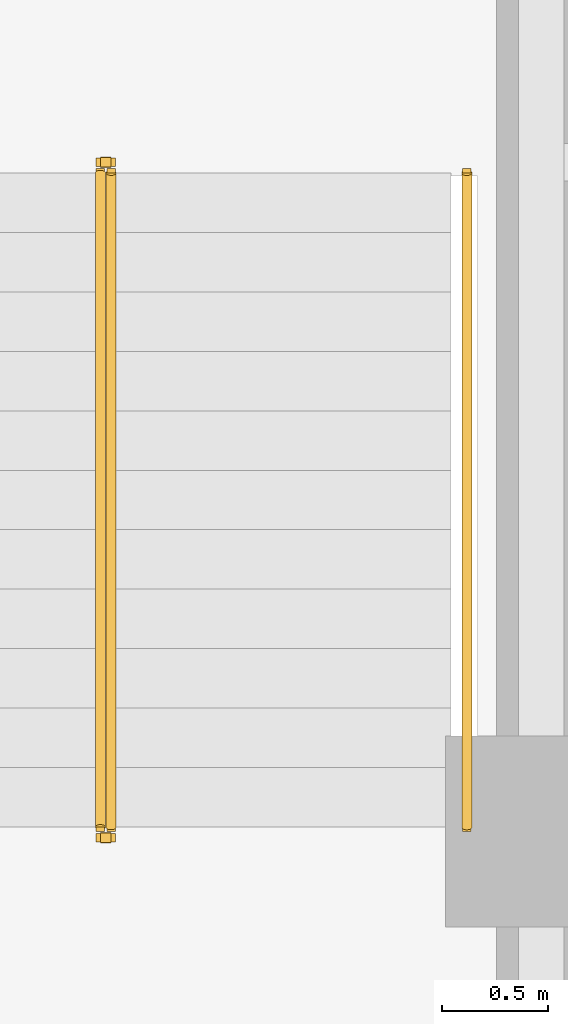
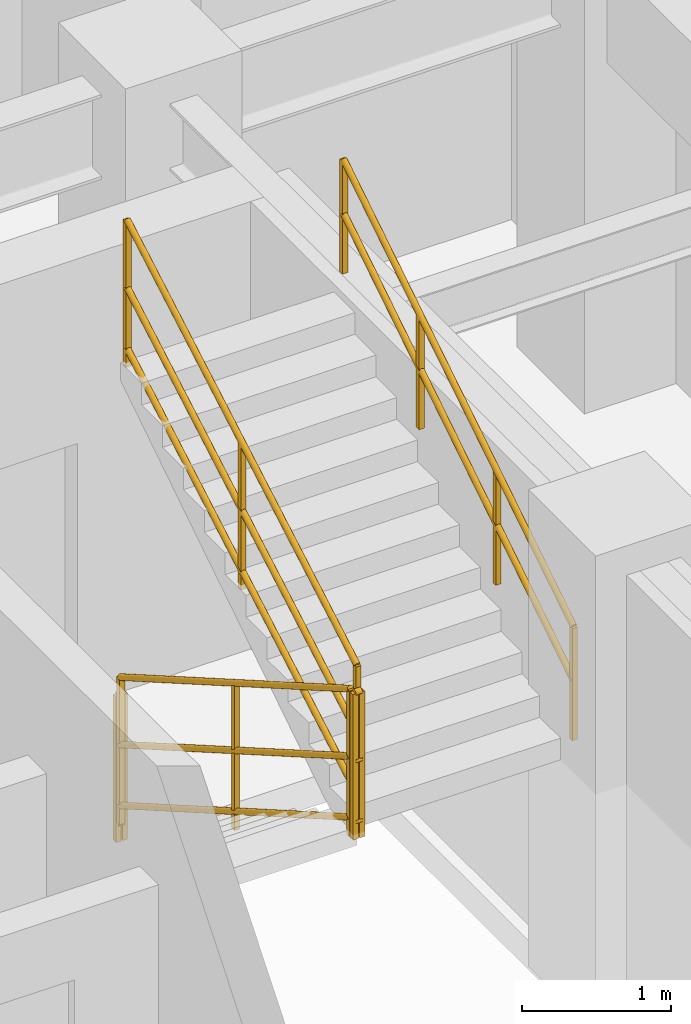
# One storey, part 9 of 10: 5 railings.
"""IFC4 building model written with IfcOpenShell, lengths in metres."""

from ifc_helpers import new_model, entity, si_unit, converted_unit, direction, frame, origin_with_axes, origin_2d_with_axis, place, context, subcontext, project, spatial, rectangle, circle, extrude, material, type_object, element, save


model = new_model("IFC4")

# Units and contexts
model_context = context("Model", 3, precision=1e-05, world=origin_with_axes(), true_north=direction((0.0, 1.0)))
body_context = subcontext(model_context, "Body", "Model", "MODEL_VIEW")
ifc_project = project(units=[si_unit("LENGTHUNIT", "METRE"), si_unit("AREAUNIT", "SQUARE_METRE"), si_unit("VOLUMEUNIT", "CUBIC_METRE"), converted_unit("PLANEANGLEUNIT", "DEGREE", entity("IfcPlaneAngleMeasure", 0.017453292519943295), si_unit("PLANEANGLEUNIT", "RADIAN"), dimensions=[0, 0, 0, 0, 0, 0, 0]), si_unit("MASSUNIT", "GRAM", prefix="KILO"), si_unit("THERMODYNAMICTEMPERATUREUNIT", "KELVIN")], contexts=[model_context])

# Site, building, storey
site_placement = place(None, origin_with_axes())
site = spatial("IfcSite", under=ifc_project, at=site_placement, CompositionType="ELEMENT")
building_placement = place(site_placement, origin_with_axes())
building = spatial("IfcBuilding", under=site, at=building_placement, Name="Varnlund Millrace Tower", CompositionType="ELEMENT")
storey_placement = place(building_placement, frame((0.0, 0.0, 240.3), z_axis=(0.0, 0.0, 1.0), x_axis=(1.0, 0.0, 0.0)))
storey = spatial("IfcBuildingStorey", under=building, at=storey_placement, Name="L59", CompositionType="ELEMENT", Elevation=240.3)

# Railings
ifc_material_1 = material(Name="Painted steel stair well balustrade guard", Category="steel")
railing_type_1 = type_object("IfcRailingType", Name="Type-StairGuard-1150", PredefinedType="GUARDRAIL", material=ifc_material_1)
railing_1_placement = place(storey_placement, frame((0.0, 0.0, -240.3), z_axis=(0.0, 0.0, 1.0), x_axis=(1.0, 0.0, 0.0)))
element("IfcRailing", 1, at=railing_1_placement, inside=storey, type_object=railing_type_1, Name="Type-StairGuard-1150", PredefinedType="GUARDRAIL", context=body_context, shape_type="SweptSolid", body=[
    extrude(circle(Radius=0.024, at=origin_2d_with_axis()), frame((45.975, 21.1, 241.627273), z_axis=(0.0, -0.866696, 0.498836), x_axis=(1.0, 0.0, 0.0)), (0.0, 0.0, 1.0), 3.553725),
    extrude(circle(Radius=0.024, at=origin_2d_with_axis()), frame((45.975, 21.1, 240.577273), z_axis=(0.0, -0.866696, 0.498836), x_axis=(1.0, 0.0, 0.0)), (0.0, 0.0, 1.0), 3.553725),
    extrude(circle(Radius=0.024, at=origin_2d_with_axis()), frame((45.975, 21.1, 241.075273), z_axis=(0.0, -0.866696, 0.498836), x_axis=(1.0, 0.0, 0.0)), (0.0, 0.0, 1.0), 3.553725),
    extrude(rectangle(XDim=0.04, YDim=0.04, at=origin_2d_with_axis()), frame((45.975, 21.1, 240.437273), z_axis=(0.0, 0.0, 1.0), x_axis=(1.0, 0.0, 0.0)), (0.0, 0.0, 1.0), 1.19),
    extrude(rectangle(XDim=0.04, YDim=0.04, at=origin_2d_with_axis()), frame((45.975, 19.56, 241.323636), z_axis=(0.0, 0.0, 1.0), x_axis=(1.0, 0.0, 0.0)), (0.0, 0.0, 1.0), 1.19),
    extrude(rectangle(XDim=0.04, YDim=0.04, at=origin_2d_with_axis()), frame((45.975, 18.02, 242.21), z_axis=(0.0, 0.0, 1.0), x_axis=(1.0, 0.0, 0.0)), (0.0, 0.0, 1.0), 1.19),
])
railing_2_placement = place(storey_placement, frame((0.0, 0.0, -240.3), z_axis=(0.0, 0.0, 1.0), x_axis=(1.0, 0.0, 0.0)))
element("IfcRailing", 2, at=railing_2_placement, inside=storey, type_object=railing_type_1, Name="Type-StairGuard-1150", PredefinedType="GUARDRAIL", context=body_context, shape_type="SweptSolid", body=[
    extrude(circle(Radius=0.024, at=origin_2d_with_axis()), frame((46.025, 17.97, 243.4), z_axis=(-1.0, 0.0, 0.0), x_axis=(0.0, -1.0, 0.0)), (0.0, 0.0, 1.0), 0.05),
    extrude(circle(Radius=0.024, at=origin_2d_with_axis()), frame((46.025, 17.97, 242.35), z_axis=(-1.0, 0.0, 0.0), x_axis=(0.0, -1.0, 0.0)), (0.0, 0.0, 1.0), 0.05),
    extrude(circle(Radius=0.024, at=origin_2d_with_axis()), frame((46.025, 17.97, 242.848), z_axis=(-1.0, 0.0, 0.0), x_axis=(0.0, -1.0, 0.0)), (0.0, 0.0, 1.0), 0.05),
    extrude(rectangle(XDim=0.04, YDim=0.04, at=origin_2d_with_axis()), frame((46.025, 17.97, 242.21), z_axis=(0.0, 0.0, 1.0), x_axis=(1.0, 0.0, 0.0)), (0.0, 0.0, 1.0), 1.19),
    extrude(rectangle(XDim=0.04, YDim=0.04, at=origin_2d_with_axis()), frame((45.975, 17.97, 242.21), z_axis=(0.0, 0.0, 1.0), x_axis=(1.0, 0.0, 0.0)), (0.0, 0.0, 1.0), 1.19),
])
railing_3_placement = place(storey_placement, frame((0.0, 0.0, -240.3), z_axis=(0.0, 0.0, 1.0), x_axis=(1.0, 0.0, 0.0)))
element("IfcRailing", 3, at=railing_3_placement, inside=storey, type_object=railing_type_1, Name="Type-StairGuard-1150", PredefinedType="GUARDRAIL", context=body_context, shape_type="SweptSolid", body=[
    extrude(circle(Radius=0.024, at=origin_2d_with_axis()), frame((46.025, 18.02, 243.577273), z_axis=(0.0, 0.866696, 0.498836), x_axis=(-1.0, 0.0, 0.0)), (0.0, 0.0, 1.0), 3.553725),
    extrude(circle(Radius=0.024, at=origin_2d_with_axis()), frame((46.025, 18.02, 242.527273), z_axis=(0.0, 0.866696, 0.498836), x_axis=(-1.0, 0.0, 0.0)), (0.0, 0.0, 1.0), 3.553725),
    extrude(circle(Radius=0.024, at=origin_2d_with_axis()), frame((46.025, 18.02, 243.025273), z_axis=(0.0, 0.866696, 0.498836), x_axis=(-1.0, 0.0, 0.0)), (0.0, 0.0, 1.0), 3.553725),
    extrude(rectangle(XDim=0.04, YDim=0.04, at=origin_2d_with_axis()), frame((46.025, 18.02, 242.387273), z_axis=(0.0, 0.0, 1.0), x_axis=(1.0, 0.0, 0.0)), (0.0, 0.0, 1.0), 1.19),
    extrude(rectangle(XDim=0.04, YDim=0.04, at=origin_2d_with_axis()), frame((46.025, 19.56, 243.273637), z_axis=(0.0, 0.0, 1.0), x_axis=(1.0, 0.0, 0.0)), (0.0, 0.0, 1.0), 1.19),
    extrude(rectangle(XDim=0.04, YDim=0.04, at=origin_2d_with_axis()), frame((46.025, 21.1, 244.16), z_axis=(0.0, 0.0, 1.0), x_axis=(1.0, 0.0, 0.0)), (0.0, 0.0, 1.0), 1.19),
])
railing_4_placement = place(storey_placement, frame((0.0, 0.0, -240.3), z_axis=(0.0, 0.0, 1.0), x_axis=(1.0, 0.0, 0.0)))
element("IfcRailing", 4, at=railing_4_placement, inside=storey, type_object=railing_type_1, Name="Type-StairGuard-1150", PredefinedType="GUARDRAIL", context=body_context, shape_type="SweptSolid", body=[
    extrude(circle(Radius=0.024, at=origin_2d_with_axis()), frame((46.025, 21.15, 241.45), z_axis=(-1.0, 0.0, 0.0), x_axis=(0.0, -1.0, 0.0)), (0.0, 0.0, 1.0), 0.05),
    extrude(circle(Radius=0.024, at=origin_2d_with_axis()), frame((46.025, 21.15, 240.4), z_axis=(-1.0, 0.0, 0.0), x_axis=(0.0, -1.0, 0.0)), (0.0, 0.0, 1.0), 0.05),
    extrude(circle(Radius=0.024, at=origin_2d_with_axis()), frame((46.025, 21.15, 240.898), z_axis=(-1.0, 0.0, 0.0), x_axis=(0.0, -1.0, 0.0)), (0.0, 0.0, 1.0), 0.05),
    extrude(rectangle(XDim=0.04, YDim=0.04, at=origin_2d_with_axis()), frame((46.025, 21.15, 240.26), z_axis=(0.0, 0.0, 1.0), x_axis=(1.0, 0.0, 0.0)), (0.0, 0.0, 1.0), 1.19),
    extrude(rectangle(XDim=0.04, YDim=0.04, at=origin_2d_with_axis()), frame((45.975, 21.15, 240.26), z_axis=(0.0, 0.0, 1.0), x_axis=(1.0, 0.0, 0.0)), (0.0, 0.0, 1.0), 1.19),
])
ifc_material_2 = material(Name="Brushed architectural bronze stair handrail", Category="aluminium")
railing_type_2 = type_object("IfcRailingType", Name="Type-StairHandrail-900", PredefinedType="HANDRAIL", material=ifc_material_2)
railing_5_placement = place(storey_placement, frame((0.0, 0.0, -240.3), z_axis=(0.0, 0.0, 1.0), x_axis=(1.0, 0.0, 0.0)))
element("IfcRailing", 5, at=railing_5_placement, inside=storey, type_object=railing_type_2, Name="Type-StairHandrail-900", PredefinedType="HANDRAIL", context=body_context, shape_type="SweptSolid", body=[
    extrude(circle(Radius=0.024, at=origin_2d_with_axis()), frame((47.7, 18.02, 243.306995), z_axis=(0.0, 0.844902, 0.534922), x_axis=(-1.0, 0.0, 0.0)), (0.0, 0.0, 1.0), 3.645394),
    extrude(circle(Radius=0.024, at=origin_2d_with_axis()), frame((47.7, 18.02, 242.867134), z_axis=(0.0, 0.844902, 0.534922), x_axis=(-1.0, 0.0, 0.0)), (0.0, 0.0, 1.0), 3.645394),
    extrude(rectangle(XDim=0.04, YDim=0.04, at=origin_2d_with_axis()), frame((47.7, 18.02, 242.387273), z_axis=(0.0, 0.0, 1.0), x_axis=(1.0, 0.0, 0.0)), (0.0, 0.0, 1.0), 0.919722),
    extrude(rectangle(XDim=0.04, YDim=0.04, at=origin_2d_with_axis()), frame((47.7, 19.046667, 243.037273), z_axis=(0.0, 0.0, 1.0), x_axis=(1.0, 0.0, 0.0)), (0.0, 0.0, 1.0), 0.919722),
    extrude(rectangle(XDim=0.04, YDim=0.04, at=origin_2d_with_axis()), frame((47.7, 20.073333, 243.687273), z_axis=(0.0, 0.0, 1.0), x_axis=(1.0, 0.0, 0.0)), (0.0, 0.0, 1.0), 0.919722),
    extrude(rectangle(XDim=0.04, YDim=0.04, at=origin_2d_with_axis()), frame((47.7, 21.1, 244.337273), z_axis=(0.0, 0.0, 1.0), x_axis=(1.0, 0.0, 0.0)), (0.0, 0.0, 1.0), 0.919722),
])

save(model, "model.ifc")
